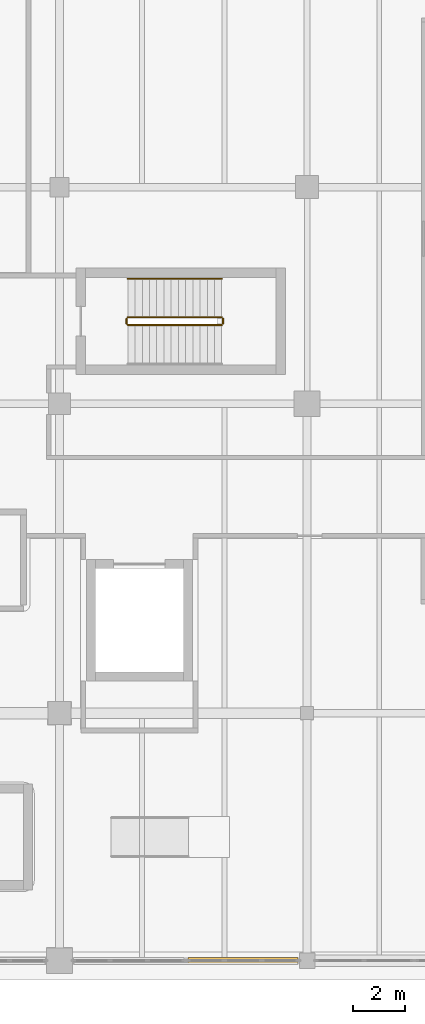
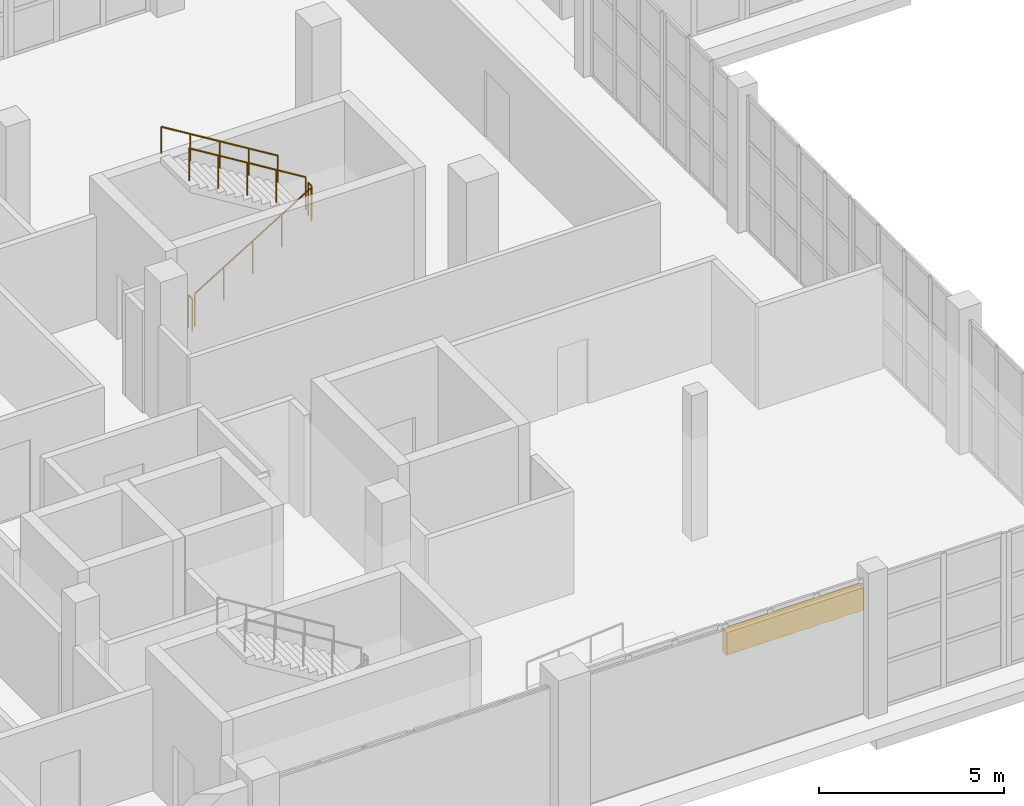
# One storey, part 109 of 121: 5 railings, 1 covering.
"""IFC4 building model written with IfcOpenShell, lengths in metres."""

import ifcopenshell
import ifcopenshell.guid

model = None  # the IFC model being written
_history = None  # IfcOwnerHistory: only IFC2X3 demands one
_inside = {}  # id of a spatial element -> (the spatial element, [elements in it])
_under = {}  # id of a project, library or spatial element -> (it, [spatial elements below it])
_declared = {}  # id of a project -> (the project, [libraries it declares])
_typed = {}  # id of a type object -> (the type object, [elements of that type])
_made_of = {}  # id of a material, layer set ... -> (it, [elements and type objects made of it])


def new_model(schema):
    """Start an empty IFC model of exactly this schema.

    Asked for "IFC4X3", IfcOpenShell would pick the latest addendum, in which some entities
    have other attributes; the version numbers below select the first issue.
    IFC2X3 requires an IfcOwnerHistory on every rooted entity: one is made here for all.
    """
    global model, _history
    if schema == "IFC4X3":
        model = ifcopenshell.file(schema_version=(4, 3, 0, 0))
    else:
        model = ifcopenshell.file(schema=schema)
    _inside.clear()
    _under.clear()
    _declared.clear()
    _typed.clear()
    _made_of.clear()
    _history = None
    if model.schema == "IFC2X3":
        org = make("IfcOrganization", Name="unknown")
        user = make(
            "IfcPersonAndOrganization",
            ThePerson=make("IfcPerson", FamilyName="unknown"),
            TheOrganization=org,
        )
        app = make(
            "IfcApplication",
            ApplicationDeveloper=org,
            Version="unknown",
            ApplicationFullName="unknown",
            ApplicationIdentifier="unknown",
        )
        _history = make(
            "IfcOwnerHistory",
            OwningUser=user,
            OwningApplication=app,
            ChangeAction="ADDED",
            CreationDate=0,
        )
    return model


def make(cls, **values):
    """One entity of the class cls with the attributes given. An attribute that is None is left unset."""
    return model.create_entity(
        cls, **{name: value for name, value in values.items() if value is not None}
    )


def rooted(cls, **values):
    """An entity with a GlobalId (a new one), such as an element, a storey or a relation."""
    return make(cls, GlobalId=ifcopenshell.guid.new(), OwnerHistory=_history, **values)


def si_unit(unit_type, name, prefix=None):
    """IfcSIUnit, for example si_unit("LENGTHUNIT", "METRE", prefix="MILLI")."""
    return make("IfcSIUnit", UnitType=unit_type, Prefix=prefix, Name=name)


def assignment(units):
    """IfcUnitAssignment: the units of a project."""
    return None if units is None else make("IfcUnitAssignment", Units=units)


def point(xyz):
    """IfcCartesianPoint."""
    return None if xyz is None else make("IfcCartesianPoint", Coordinates=xyz)


def direction(xyz):
    """IfcDirection."""
    return None if xyz is None else make("IfcDirection", DirectionRatios=xyz)


def frame(location, z_axis=None, x_axis=None):
    """IfcAxis2Placement3D, a coordinate frame: its origin and axes. An axis left out is left unset."""
    return make(
        "IfcAxis2Placement3D",
        Location=point(location),
        Axis=direction(z_axis),
        RefDirection=direction(x_axis),
    )


def frame_2d(location, x_axis=None):
    """IfcAxis2Placement2D, a coordinate frame in the plane: its origin and x axis."""
    return make(
        "IfcAxis2Placement2D", Location=point(location), RefDirection=direction(x_axis)
    )


def origin():
    """The frame at (0, 0, 0) with its axes left unset."""
    return frame((0.0, 0.0, 0.0))


def origin_2d():
    """The frame at (0, 0) in the plane with its x axis left unset."""
    return frame_2d((0.0, 0.0))


def place(relative_to, where):
    """IfcLocalPlacement: puts the frame where relative to a parent placement (None: the world)."""
    return make(
        "IfcLocalPlacement", PlacementRelTo=relative_to, RelativePlacement=where
    )


def context(
    kind, dimensions, precision=None, world=None, true_north=None, identifier=None
):
    """IfcGeometricRepresentationContext, for example the 3D "Model" context."""
    return make(
        "IfcGeometricRepresentationContext",
        ContextIdentifier=identifier,
        ContextType=kind,
        CoordinateSpaceDimension=dimensions,
        Precision=precision,
        WorldCoordinateSystem=world,
        TrueNorth=true_north,
    )


def subcontext(parent, identifier, kind, view, scale=None):
    """IfcGeometricRepresentationSubContext, for example "Body" below "Model"."""
    return make(
        "IfcGeometricRepresentationSubContext",
        ContextIdentifier=identifier,
        ContextType=kind,
        ParentContext=parent,
        TargetScale=scale,
        TargetView=view,
    )


def project(units=None, contexts=None):
    """IfcProject with its units and contexts."""
    return rooted(
        "IfcProject",
        Name="project",
        RepresentationContexts=contexts,
        UnitsInContext=assignment(units),
    )


def spatial(cls, under=None, at=None, **own):
    """A site, building, storey or space (cls), placed at a placement, below another one or the project."""
    s = rooted(cls, ObjectPlacement=at, **own)
    if under is not None:
        _under.setdefault(under.id(), (under, []))[1].append(s)
    return s


def profile(cls, at=None, kind="AREA", **sizes):
    """A parametric profile (cls). Its sizes go by their IFC names, for example OverallWidth=200.0."""
    return make(cls, ProfileType=kind, Position=at, **sizes)


def rectangle(**sizes):
    """IfcRectangleProfileDef."""
    return profile("IfcRectangleProfileDef", **sizes)


def circle(**sizes):
    """IfcCircleProfileDef."""
    return profile("IfcCircleProfileDef", **sizes)


def extrude(swept, where, along, depth):
    """IfcExtrudedAreaSolid: the profile swept, set in the frame where, extruded along a direction by depth."""
    return make(
        "IfcExtrudedAreaSolid",
        SweptArea=swept,
        Position=where,
        ExtrudedDirection=direction(along),
        Depth=depth,
    )


def shape(context_of_items, identifier, shape_type, items):
    """IfcShapeRepresentation: the items that make up one representation, for example the "Body"."""
    return make(
        "IfcShapeRepresentation",
        ContextOfItems=context_of_items,
        RepresentationIdentifier=identifier,
        RepresentationType=shape_type,
        Items=items,
    )


def material(Name=None, Category=None):
    """IfcMaterial."""
    return make("IfcMaterial", Name=Name, Category=Category)


def layer(
    of_material, thickness, ventilated=None, Name=None, Category=None, Priority=None
):
    """IfcMaterialLayer: one layer of a wall or slab, of a material (None: an air gap)."""
    return make(
        "IfcMaterialLayer",
        Material=of_material,
        LayerThickness=thickness,
        IsVentilated=ventilated,
        Name=Name,
        Category=Category,
        Priority=Priority,
    )


def layer_set(layers, Name=None):
    """IfcMaterialLayerSet."""
    return make("IfcMaterialLayerSet", MaterialLayers=layers, LayerSetName=Name)


def made_of(thing, what):
    """Note that an element or type object is made of a material, layer set ...; save() writes the relation."""
    if what is not None:
        _made_of.setdefault(what.id(), (what, []))[1].append(thing)
    return thing


def type_object(cls, material=None, **own):
    """A type object (cls), such as IfcWallType, which elements share."""
    return made_of(rooted(cls, **own), material)


def element(
    cls,
    number,
    at=None,
    inside=None,
    cuts=None,
    type_object=None,
    material=None,
    context=None,
    identifier="Body",
    shape_type=None,
    held_by="IfcProductDefinitionShape",
    body=None,
    shapes=None,
    **own,
):
    """One element of the class cls, such as IfcWall. Its Tag is "e" and its number.

    at: its placement. inside: the storey or other place that contains it. cuts: it is an
    opening in that element (IfcRelVoidsElement). A single representation is given by context,
    identifier, shape_type and body (its items); several are given by shapes. held_by: the class
    of the entity that holds the representations. save() writes the other relations.
    """
    e = rooted(cls, Tag="e%d" % number, ObjectPlacement=at, **own)
    if body is not None:
        shapes = [shape(context, identifier, shape_type, body)]
    if shapes is not None:
        e.Representation = make(held_by, Representations=shapes)
    if inside is not None:
        _inside.setdefault(inside.id(), (inside, []))[1].append(e)
    if cuts is not None:
        rooted(
            "IfcRelVoidsElement", RelatingBuildingElement=cuts, RelatedOpeningElement=e
        )
    if type_object is not None:
        _typed.setdefault(type_object.id(), (type_object, []))[1].append(e)
    return made_of(e, material)


def aggregate(whole, parts):
    """IfcRelAggregates: a whole, such as a stair, and the parts it consists of."""
    return rooted("IfcRelAggregates", RelatingObject=whole, RelatedObjects=parts)


def save(model, path):
    """Write the relations noted so far, then the file.

    IfcRelAggregates (storeys below a building ...), IfcRelContainedInSpatialStructure (elements
    in a storey), IfcRelDefinesByType, IfcRelAssociatesMaterial and IfcRelDeclares: one each for
    every whole, place, type object, material and project.
    """
    for whole, parts in _under.values():
        aggregate(whole, parts)
    for where, things in _inside.values():
        rooted(
            "IfcRelContainedInSpatialStructure",
            RelatedElements=things,
            RelatingStructure=where,
        )
    for kind, things in _typed.values():
        rooted("IfcRelDefinesByType", RelatedObjects=things, RelatingType=kind)
    for what, things in _made_of.values():
        rooted("IfcRelAssociatesMaterial", RelatedObjects=things, RelatingMaterial=what)
    for by, libraries in _declared.values():
        rooted("IfcRelDeclares", RelatingContext=by, RelatedDefinitions=libraries)
    model.write(path)


model = new_model("IFC4")

# Units and contexts
model_context = context("Model", 3, precision=1e-05, world=origin(), true_north=direction((0.0, 1.0)))
body_context = subcontext(model_context, "Body", "Model", "MODEL_VIEW")
ifc_project = project(units=[si_unit("LENGTHUNIT", "METRE"), si_unit("AREAUNIT", "SQUARE_METRE"), si_unit("VOLUMEUNIT", "CUBIC_METRE"), si_unit("PLANEANGLEUNIT", "RADIAN"), si_unit("MASSUNIT", "GRAM", prefix="KILO")], contexts=[model_context])

# Site, building, storey
site_placement = place(None, origin())
site = spatial("IfcSite", under=ifc_project, at=site_placement, CompositionType="ELEMENT")
building_placement = place(site_placement, origin())
building = spatial("IfcBuilding", under=site, at=building_placement, Name="Zereglee Splitstone Museum", CompositionType="ELEMENT")
storey_placement = place(building_placement, origin())
storey = spatial("IfcBuildingStorey", under=building, at=storey_placement, Name="L00", CompositionType="ELEMENT", Elevation=0.0)

# Covering
ifc_material_1 = material(Name="Honed Gobi pale limestone stringcourse and soffit cladding", Category="masonry")
ifc_layer = layer(ifc_material_1, 0.070068359375)
ifc_layer_set = layer_set([ifc_layer], Name="Honed Gobi pale limestone stringcourse and soffit cladding")
covering_type = type_object("IfcCoveringType", Name="CL-02", PredefinedType="CLADDING", material=ifc_layer_set)
covering_placement = place(storey_placement, frame((37.115966796875, 0.0, 3.5048828125), z_axis=(0.0, 0.0, 1.0), x_axis=(1.0, 0.0, 0.0)))
element("IfcCovering", 1, at=covering_placement, inside=storey, type_object=covering_type, Name="Mughal Carved Clerestory Jaali Frieze RC4-CW-L00-078-2", PredefinedType="CLADDING", context=body_context, shape_type="SweptSolid", body=[
    extrude(rectangle(XDim=4.27001953125, YDim=0.239990234375, at=origin_2d()), origin(), (0.0, 0.0, 1.0), 0.75),
])

# Railings
ifc_material_2 = material(Name="Painted steel S355J2 post-and-baluster guard", Category="steel")
railing_type_1 = type_object("IfcRailingType", Name="GR-03", PredefinedType="BALUSTRADE", material=ifc_material_2)
railing_1_placement = place(storey_placement, frame((32.64990234375, 24.64990234375, 0.17138671875)))
element("IfcRailing", 2, at=railing_1_placement, inside=storey, type_object=railing_type_1, Name="L00 ST-02 stair guard 1", PredefinedType="BALUSTRADE", context=body_context, shape_type="SweptSolid", body=[
    extrude(circle(Radius=0.02392578125, at=origin_2d()), frame((0.0, 0.0, 1.076416015625), z_axis=(0.852865859571, 0.0, 0.52213008492), x_axis=(0.0, 1.0, 0.0)), (0.0, 0.0, 1.0), 4.26806640625),
    extrude(circle(Radius=0.02099609375, at=origin_2d()), origin(), (0.0, 0.0, 1.0), 1.052001953125),
    extrude(circle(Radius=0.02099609375, at=origin_2d()), frame((0.91015625, 0.0, 0.55712890625)), (0.0, 0.0, 1.0), 1.052001953125),
    extrude(circle(Radius=0.02099609375, at=origin_2d()), frame((1.820068359375, 0.0, 1.1142578125)), (0.0, 0.0, 1.0), 1.052001953125),
    extrude(circle(Radius=0.02099609375, at=origin_2d()), frame((2.72998046875, 0.0, 1.67138671875)), (0.0, 0.0, 1.0), 1.052001953125),
    extrude(circle(Radius=0.02099609375, at=origin_2d()), frame((3.64013671875, 0.0, 2.228515625)), (0.0, 0.0, 1.0), 1.052001953125),
])
railing_2_placement = place(storey_placement, frame((36.340087890625, 24.699951171875, 2.39990234375)))
element("IfcRailing", 3, at=railing_2_placement, inside=storey, type_object=railing_type_1, Name="L00 ST-02 stair guard 2", PredefinedType="BALUSTRADE", context=body_context, shape_type="SweptSolid", body=[
    extrude(circle(Radius=0.02392578125, at=origin_2d()), frame((0.0, 0.0, 1.076416015625), z_axis=(0.0, 1.0, 0.0), x_axis=(-1.0, 0.0, 0.0)), (0.0, 0.0, 1.0), 0.199951171875),
    extrude(circle(Radius=0.02099609375, at=origin_2d()), origin(), (0.0, 0.0, 1.0), 1.052001953125),
    extrude(circle(Radius=0.02099609375, at=origin_2d()), frame((0.0, 0.199951171875, 0.0)), (0.0, 0.0, 1.0), 1.052001953125),
])
railing_3_placement = place(storey_placement, frame((36.2900390625, 24.949951171875, 2.571533203125)))
element("IfcRailing", 4, at=railing_3_placement, inside=storey, type_object=railing_type_1, Name="L00 ST-02 stair guard 3", PredefinedType="BALUSTRADE", context=body_context, shape_type="SweptSolid", body=[
    extrude(circle(Radius=0.02392578125, at=origin_2d()), frame((0.0, 0.0, 1.076416015625), z_axis=(-0.852865859571, 0.0, 0.52213008492), x_axis=(0.0, -1.0, 0.0)), (0.0, 0.0, 1.0), 4.26806640625),
    extrude(circle(Radius=0.02099609375, at=origin_2d()), origin(), (0.0, 0.0, 1.0), 1.052001953125),
    extrude(circle(Radius=0.02099609375, at=origin_2d()), frame((-0.91015625, 0.0, 0.55712890625)), (0.0, 0.0, 1.0), 1.052001953125),
    extrude(circle(Radius=0.02099609375, at=origin_2d()), frame((-1.820068359375, 0.0, 1.1142578125)), (0.0, 0.0, 1.0), 1.052001953125),
    extrude(circle(Radius=0.02099609375, at=origin_2d()), frame((-2.72998046875, 0.0, 1.67138671875)), (0.0, 0.0, 1.0), 1.052001953125),
    extrude(circle(Radius=0.02099609375, at=origin_2d()), frame((-3.64013671875, 0.0, 2.228515625)), (0.0, 0.0, 1.0), 1.052001953125),
])
railing_4_placement = place(storey_placement, frame((32.60009765625, 24.699951171875, 0.0)))
element("IfcRailing", 5, at=railing_4_placement, inside=storey, type_object=railing_type_1, Name="L00 ST-02 stair guard 4", PredefinedType="BALUSTRADE", context=body_context, shape_type="SweptSolid", body=[
    extrude(circle(Radius=0.02392578125, at=origin_2d()), frame((0.0, 0.0, 1.076416015625), z_axis=(0.0, 1.0, 0.0), x_axis=(-1.0, 0.0, 0.0)), (0.0, 0.0, 1.0), 0.199951171875),
    extrude(circle(Radius=0.02099609375, at=origin_2d()), origin(), (0.0, 0.0, 1.0), 1.052001953125),
    extrude(circle(Radius=0.02099609375, at=origin_2d()), frame((0.0, 0.199951171875, 0.0)), (0.0, 0.0, 1.0), 1.052001953125),
])
ifc_material_3 = material(Name="Architectural bronze tubular handrail", Category="steel")
railing_type_2 = type_object("IfcRailingType", Name="HR-01", PredefinedType="HANDRAIL", material=ifc_material_3)
railing_5_placement = place(storey_placement, frame((36.2900390625, 26.449951171875, 2.571533203125)))
element("IfcRailing", 6, at=railing_5_placement, inside=storey, type_object=railing_type_2, Name="L00 ST-02 stair handrail 2", PredefinedType="HANDRAIL", context=body_context, shape_type="SweptSolid", body=[
    extrude(circle(Radius=0.02392578125, at=origin_2d()), frame((0.0, 0.0, 0.8759765625), z_axis=(-0.852865859571, 0.0, 0.52213008492), x_axis=(0.0, -1.0, 0.0)), (0.0, 0.0, 1.0), 4.26806640625),
    extrude(circle(Radius=0.02099609375, at=origin_2d()), origin(), (0.0, 0.0, 1.0), 0.851806640625),
    extrude(circle(Radius=0.02099609375, at=origin_2d()), frame((-0.91015625, 0.0, 0.55712890625)), (0.0, 0.0, 1.0), 0.851806640625),
    extrude(circle(Radius=0.02099609375, at=origin_2d()), frame((-1.820068359375, 0.0, 1.1142578125)), (0.0, 0.0, 1.0), 0.851806640625),
    extrude(circle(Radius=0.02099609375, at=origin_2d()), frame((-2.72998046875, 0.0, 1.67138671875)), (0.0, 0.0, 1.0), 0.851806640625),
    extrude(circle(Radius=0.02099609375, at=origin_2d()), frame((-3.64013671875, 0.0, 2.228515625)), (0.0, 0.0, 1.0), 0.851806640625),
])

save(model, "model.ifc")
